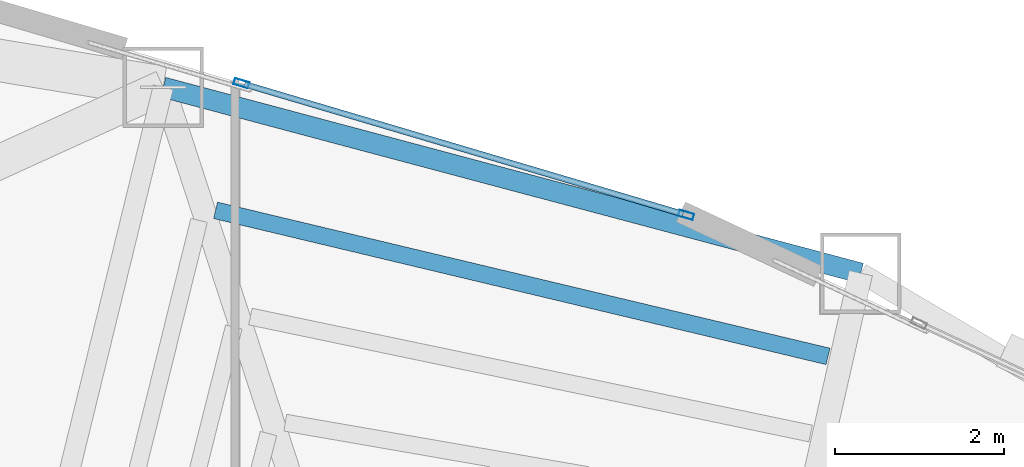
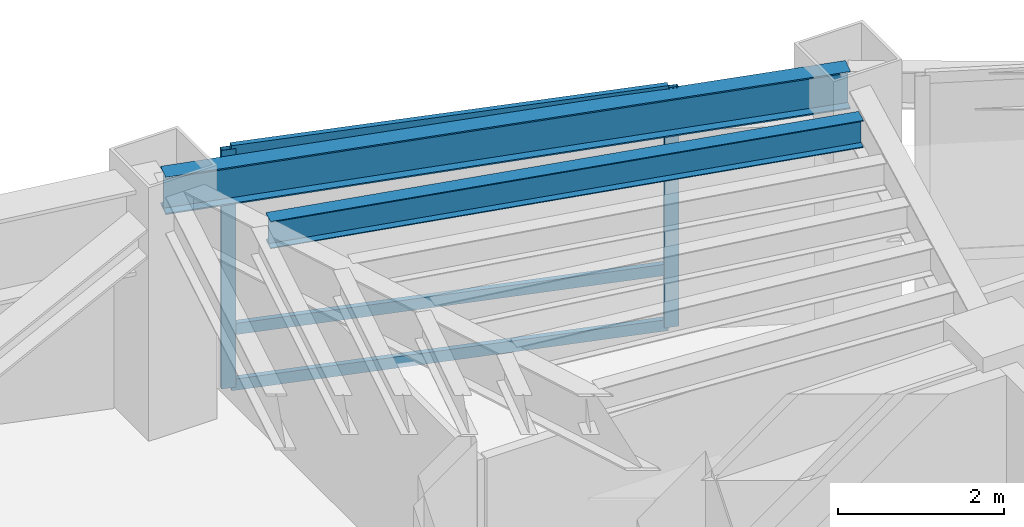
# One storey, part 9 of 16: 5 members, 2 beams, 1 element without a shape of its own.
"""IFC4 building model written with IfcOpenShell, lengths in metres."""

from ifc_helpers import new_model, si_unit, direction, frame, origin, origin_2d, place, context, subcontext, project, spatial, hollow_rectangle, i_section, extrude, material, layer, layer_set, material_profile, profile_set, type_object, element, aggregate, save


model = new_model("IFC4")

# Units and contexts
model_context = context("Model", 3, precision=1e-05, world=origin(), true_north=direction((0.0, 1.0)))
body_context = subcontext(model_context, "Body", "Model", "MODEL_VIEW")
ifc_project = project(units=[si_unit("LENGTHUNIT", "METRE"), si_unit("AREAUNIT", "SQUARE_METRE"), si_unit("VOLUMEUNIT", "CUBIC_METRE"), si_unit("PLANEANGLEUNIT", "RADIAN"), si_unit("MASSUNIT", "GRAM", prefix="KILO")], contexts=[model_context])

# Site, building, storey
site_placement = place(None, origin())
site = spatial("IfcSite", under=ifc_project, at=site_placement, CompositionType="ELEMENT")
building_placement = place(site_placement, origin())
building = spatial("IfcBuilding", under=site, at=building_placement, Name="Menara Vayukalpa", CompositionType="ELEMENT")
storey_placement = place(building_placement, frame((0.0, 0.0, 198.9599609375)))
storey = spatial("IfcBuildingStorey", under=building, at=storey_placement, Name="L50", CompositionType="ELEMENT", Elevation=198.9599609375)

# Beams
ifc_material_1 = material(Name="Steel S355", Category="steel")
ifc_material_profile_1 = material_profile(ifc_material_1, i_section(OverallWidth=0.199951171875, OverallDepth=0.39990234375, WebThickness=0.008056640625, FlangeThickness=0.012939453125, at=origin_2d()), Name="WF 400x200x8x13")
ifc_profile_set_1 = profile_set([ifc_material_profile_1], Name="Steel S355")
beam_type_1 = type_object("IfcBeamType", Name="BM-SJ2", PredefinedType="JOIST", material=ifc_profile_set_1)
beam_1_placement = place(storey_placement, frame((23.002685546875, 31.725830078125, 3.300048828125), z_axis=(-0.972731800574, 0.231932844055, 0.0), x_axis=(-0.231932844055, -0.972731800574, 0.0)))
element("IfcBeam", 1, at=beam_1_placement, inside=storey, type_object=beam_type_1, Name="L50 Secondary Floor Joist SJ03-5", PredefinedType="JOIST", context=body_context, shape_type="SweptSolid", body=[
    extrude(i_section(OverallWidth=0.199951171875, OverallDepth=0.39990234375, WebThickness=0.008056640625, FlangeThickness=0.012939453125, at=origin_2d()), origin(), (0.0, 0.0, 1.0), 7.4326171875),
])
ifc_material_2 = material(Name="Steel S355", Category="steel")
ifc_material_profile_2 = material_profile(ifc_material_2, i_section(OverallWidth=0.239990234375, OverallDepth=0.550048828125, WebThickness=0.010986328125, FlangeThickness=0.01904296875, at=origin_2d()), Name="WF 550x240x11x19")
ifc_profile_set_2 = profile_set([ifc_material_profile_2], Name="Steel S355")
beam_type_2 = type_object("IfcBeamType", Name="BM-SP2", PredefinedType="SPANDREL", material=ifc_profile_set_2)
beam_2_placement = place(storey_placement, frame((23.389404296875, 32.70849609375, 3.22509765625), z_axis=(-0.966287699272, 0.25746472037, 0.0), x_axis=(-0.25746472037, -0.966287699272, 0.0)))
element("IfcBeam", 2, at=beam_2_placement, inside=storey, type_object=beam_type_2, Name="L50 Perimeter Spandrel Beam SP03", PredefinedType="SPANDREL", context=body_context, shape_type="SweptSolid", body=[
    extrude(i_section(OverallWidth=0.239990234375, OverallDepth=0.550048828125, WebThickness=0.010986328125, FlangeThickness=0.01904296875, at=origin_2d()), origin(), (0.0, 0.0, 1.0), 8.52197265625),
])

# Curtain wall, members
ifc_material_3 = material(Name="Anodised Terracotta Aluminium Alloy 6063-T6", Category="masonry")
ifc_layer = layer(ifc_material_3, 0.179931640625)
ifc_layer_set = layer_set([ifc_layer], Name="Anodised Terracotta Aluminium Alloy 6063-T6")
curtain_wall_type = type_object("IfcCurtainWallType", Name="CW-CW4", PredefinedType="USERDEFINED", material=ifc_layer_set)
curtain_wall_placement = place(storey_placement, origin())
curtain_wall = element("IfcCurtainWall", 3, at=curtain_wall_placement, inside=storey, type_object=curtain_wall_type, Name="L50 Sky Bar Cantilever Glazed Curtain Wall CW4 07", ObjectType="UNITISED", PredefinedType="USERDEFINED")
ifc_material_4 = material(Name="Anodised Terracotta Aluminium Alloy 6063-T6", Category="masonry")
ifc_material_profile_3 = material_profile(ifc_material_4, hollow_rectangle(XDim=0.074951171875, YDim=0.179931640625, WallThickness=0.00390625, at=origin_2d()), Name="ALU 75x180x4")
ifc_profile_set_3 = profile_set([ifc_material_profile_3], Name="Anodised Terracotta Aluminium Alloy 6063-T6")
member_type_1 = type_object("IfcMemberType", Name="CWM-CW4", PredefinedType="MULLION", material=ifc_profile_set_3)
member_1_placement = place(storey_placement, frame((21.3271484375, 33.395263671875, 0.0), z_axis=(0.0, 0.0, 1.0), x_axis=(-0.283893813595, -0.958855725645, 0.0)))
member_1 = element("IfcMember", 4, at=member_1_placement, type_object=member_type_1, Name="CW4 mullion 1", PredefinedType="MULLION", context=body_context, shape_type="SweptSolid", body=[
    extrude(hollow_rectangle(XDim=0.074951171875, YDim=0.179931640625, WallThickness=0.00390625, at=origin_2d()), origin(), (0.0, 0.0, 1.0), 3.5),
])
member_2_placement = place(storey_placement, frame((16.07861328125, 34.949462890625, 0.0), z_axis=(0.0, 0.0, 1.0), x_axis=(-0.283893813595, -0.958855725645, 0.0)))
member_2 = element("IfcMember", 5, at=member_2_placement, type_object=member_type_1, Name="CW4 mullion 2", PredefinedType="MULLION", context=body_context, shape_type="SweptSolid", body=[
    extrude(hollow_rectangle(XDim=0.074951171875, YDim=0.179931640625, WallThickness=0.00390625, at=origin_2d()), origin(), (0.0, 0.0, 1.0), 3.5),
])
ifc_material_5 = material(Name="Anodised Terracotta Aluminium Alloy 6063-T6", Category="masonry")
ifc_material_profile_4 = material_profile(ifc_material_5, hollow_rectangle(XDim=0.070068359375, YDim=0.1650390625, WallThickness=0.00390625, at=origin_2d()), Name="ALU 70x165x4")
ifc_profile_set_4 = profile_set([ifc_material_profile_4], Name="Anodised Terracotta Aluminium Alloy 6063-T6")
member_type_2 = type_object("IfcMemberType", Name="CWT-CW4", PredefinedType="USERDEFINED", material=ifc_profile_set_4)
member_3_placement = place(storey_placement, frame((21.291259765625, 33.406005859375, 0.03515625), z_axis=(-0.958855573875, 0.283894326202, 0.0), x_axis=(-0.283894326202, -0.958855573875, 0.0)))
member_3 = element("IfcMember", 6, at=member_3_placement, type_object=member_type_2, Name="CW4 transom 1.1", ObjectType="TRANSOM", PredefinedType="USERDEFINED", context=body_context, shape_type="SweptSolid", body=[
    extrude(hollow_rectangle(XDim=0.070068359375, YDim=0.1650390625, WallThickness=0.00390625, at=origin_2d()), origin(), (0.0, 0.0, 1.0), 5.39892578125),
])
member_4_placement = place(storey_placement, frame((21.291259765625, 33.406005859375, 0.85009765625), z_axis=(-0.958855573875, 0.283894326202, 0.0), x_axis=(-0.283894326202, -0.958855573875, 0.0)))
member_4 = element("IfcMember", 7, at=member_4_placement, type_object=member_type_2, Name="CW4 transom 1.2", ObjectType="TRANSOM", PredefinedType="USERDEFINED", context=body_context, shape_type="SweptSolid", body=[
    extrude(hollow_rectangle(XDim=0.070068359375, YDim=0.1650390625, WallThickness=0.00390625, at=origin_2d()), origin(), (0.0, 0.0, 1.0), 5.39892578125),
])
member_5_placement = place(storey_placement, frame((21.291259765625, 33.406005859375, 3.465087890625), z_axis=(-0.958855573875, 0.283894326202, 0.0), x_axis=(-0.283894326202, -0.958855573875, 0.0)))
member_5 = element("IfcMember", 8, at=member_5_placement, type_object=member_type_2, Name="CW4 transom 1.3", ObjectType="TRANSOM", PredefinedType="USERDEFINED", context=body_context, shape_type="SweptSolid", body=[
    extrude(hollow_rectangle(XDim=0.070068359375, YDim=0.1650390625, WallThickness=0.00390625, at=origin_2d()), origin(), (0.0, 0.0, 1.0), 5.39892578125),
])
aggregate(curtain_wall, [member_1, member_2, member_3, member_4, member_5])

save(model, "model.ifc")
